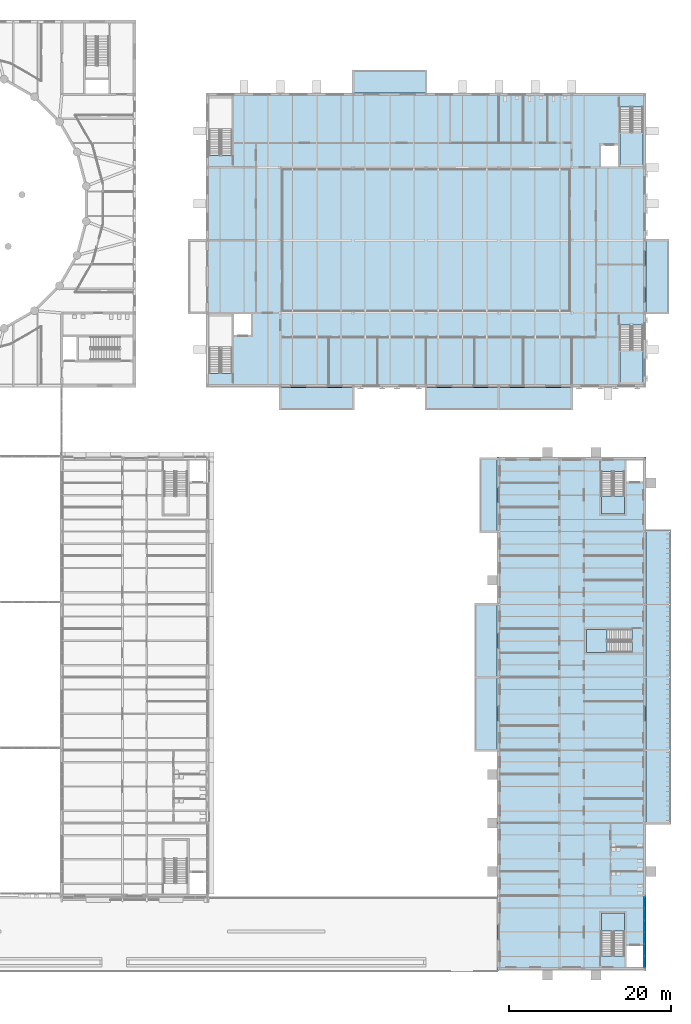
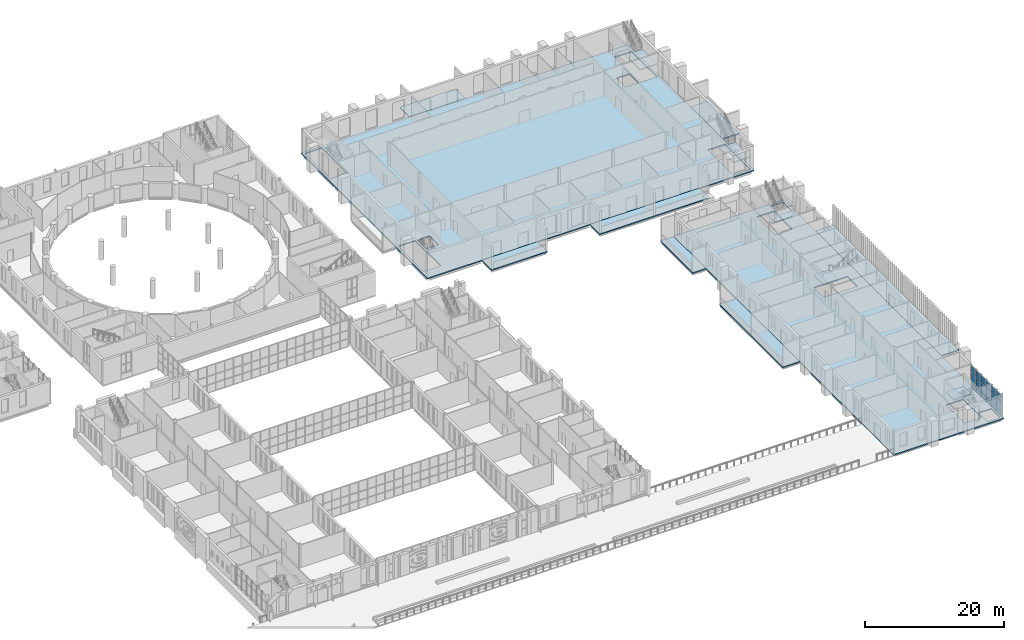
# One storey, part 68 of 134: 18 plates, 14 slabs, 6 elements without a shape of their own.
"""IFC4 building model written with IfcOpenShell, lengths in metres."""

from ifc_helpers import new_model, si_unit, direction, frame, origin, origin_2d, place, context, subcontext, project, spatial, polyline, rectangle, outline, extrude, material, layer, layer_set, type_object, element, aggregate, save


model = new_model("IFC4")

# Units and contexts
model_context = context("Model", 3, precision=1e-05, world=origin(), true_north=direction((0.0, 1.0)))
body_context = subcontext(model_context, "Body", "Model", "MODEL_VIEW")
ifc_project = project(units=[si_unit("LENGTHUNIT", "METRE"), si_unit("AREAUNIT", "SQUARE_METRE"), si_unit("VOLUMEUNIT", "CUBIC_METRE"), si_unit("PLANEANGLEUNIT", "RADIAN"), si_unit("MASSUNIT", "GRAM", prefix="KILO")], contexts=[model_context])

# Site, building, storey
site_placement = place(None, origin())
site = spatial("IfcSite", under=ifc_project, at=site_placement, CompositionType="ELEMENT")
building_placement = place(site_placement, origin())
building = spatial("IfcBuilding", under=site, at=building_placement, Name="Golden Quay Civic Hall", CompositionType="ELEMENT")
storey_placement = place(building_placement, frame((0.0, 0.0, 5.39990234375)))
storey = spatial("IfcBuildingStorey", under=building, at=storey_placement, Name="L01", CompositionType="ELEMENT", Elevation=5.39990234375)

# Slabs
ifc_material_1 = material(Name="Concrete C35/45", Category="concrete")
ifc_layer_1 = layer(ifc_material_1, 0.199951171875)
ifc_layer_set_1 = layer_set([ifc_layer_1], Name="Composite floor 200")
slab_type_1 = type_object("IfcSlabType", Name="Composite floor 200", PredefinedType="FLOOR", material=ifc_layer_set_1)
slab_1_placement = place(storey_placement, frame((0.0, 0.0, -0.199951171875)))
element("IfcSlab", 1, at=slab_1_placement, inside=storey, type_object=slab_type_1, Name="EO floor L01", PredefinedType="FLOOR", context=body_context, shape_type="SweptSolid", body=[
    extrude(outline(polyline([(152.800048828125, 54.199951171875), (171.199951171875, 54.199951171875), (171.199951171875, -9.199951171875), (152.800048828125, -9.199951171875), (152.800048828125, -0.199951171875), (152.800048828125, 54.199951171875)]), holes=[polyline([(168.5, -2.14990234375), (165.64990234375, -2.14990234375), (165.64990234375, -7.445068359375), (168.5, -7.445068359375), (168.5, -2.14990234375)]), polyline([(170.800048828125, -8.800048828125), (170.800048828125, -6.199951171875), (168.75, -6.199951171875), (168.75, -8.800048828125), (170.800048828125, -8.800048828125)]), polyline([(165.64990234375, 47.14990234375), (168.5, 47.14990234375), (168.5, 52.445068359375), (165.64990234375, 52.445068359375), (165.64990234375, 47.14990234375)]), polyline([(168.75, 53.800048828125), (168.75, 51.199951171875), (170.800048828125, 51.199951171875), (170.800048828125, 53.800048828125), (168.75, 53.800048828125)]), polyline([(169.445068359375, 32.925048828125), (163.824951171875, 32.925048828125), (163.824951171875, 30.074951171875), (169.445068359375, 30.074951171875), (169.445068359375, 32.925048828125)])]), origin(), (0.0, 0.0, 1.0), 0.199951171875),
])
slab_2_placement = place(storey_placement, frame((0.0, 0.0, -0.199951171875)))
element("IfcSlab", 2, at=slab_2_placement, inside=storey, type_object=slab_type_1, Name="L01 floor slab", PredefinedType="FLOOR", context=body_context, shape_type="SweptSolid", body=[
    extrude(outline(polyline([(116.800048828125, 62.800048828125), (171.199951171875, 62.800048828125), (171.199951171875, 99.199951171875), (116.800048828125, 99.199951171875), (116.800048828125, 62.800048828125)]), holes=[polyline([(120.050048828125, 64.554931640625), (120.050048828125, 71.875), (117.199951171875, 71.875), (117.199951171875, 64.554931640625), (120.050048828125, 64.554931640625)]), polyline([(120.300048828125, 69.27490234375), (122.39990234375, 69.27490234375), (122.39990234375, 71.875), (120.300048828125, 71.875), (120.300048828125, 69.27490234375)]), polyline([(167.949951171875, 97.445068359375), (167.949951171875, 90.125), (170.800048828125, 90.125), (170.800048828125, 97.445068359375), (167.949951171875, 97.445068359375)]), polyline([(167.699951171875, 92.72509765625), (165.60009765625, 92.72509765625), (165.60009765625, 90.125), (167.699951171875, 90.125), (167.699951171875, 92.72509765625)]), polyline([(120.050048828125, 91.47998046875), (120.050048828125, 98.800048828125), (117.199951171875, 98.800048828125), (117.199951171875, 91.47998046875), (120.050048828125, 91.47998046875)]), polyline([(167.949951171875, 70.52001953125), (167.949951171875, 63.199951171875), (170.800048828125, 63.199951171875), (170.800048828125, 70.52001953125), (167.949951171875, 70.52001953125)])]), origin(), (0.0, 0.0, 1.0), 0.199951171875),
])

# Stair, slab
ifc_material_2 = material(Name="Concrete C35/45", Category="concrete")
stair_type_1 = type_object("IfcStairType", Name="Concrete stair 1350 wide 24 risers of 187.5", PredefinedType="HALF_TURN_STAIR", material=ifc_material_2)
stair_1_placement = place(storey_placement, origin())
stair_1 = element("IfcStair", 3, at=stair_1_placement, inside=storey, type_object=stair_type_1, Name="L01 Stair EO-S", PredefinedType="HALF_TURN_STAIR")
ifc_material_3 = material(Name="Concrete C35/45", Category="concrete")
ifc_layer_2 = layer(ifc_material_3, 0.199951171875)
ifc_layer_set_2 = layer_set([ifc_layer_2], Name="Concrete stair landing 200, Concrete C35/45")
slab_type_2 = type_object("IfcSlabType", Name="Concrete stair landing 200", PredefinedType="LANDING", material=ifc_layer_set_2)
slab_3_placement = place(storey_placement, frame((0.0, 0.0, 2.050048828125)))
slab_3 = element("IfcSlab", 4, at=slab_3_placement, type_object=slab_type_2, Name="EO-S landing 1", PredefinedType="LANDING", context=body_context, shape_type="SweptSolid", body=[
    extrude(outline(polyline([(168.5, -4.3701171875), (168.5, -2.14990234375), (165.64990234375, -2.14990234375), (165.64990234375, -4.3701171875), (168.5, -4.3701171875)])), origin(), (0.0, 0.0, 1.0), 0.199951171875),
])
aggregate(stair_1, [slab_3])

stair_2_placement = place(storey_placement, origin())
stair_2 = element("IfcStair", 5, at=stair_2_placement, inside=storey, type_object=stair_type_1, Name="L01 Stair EO-N", PredefinedType="HALF_TURN_STAIR")
slab_4_placement = place(storey_placement, frame((0.0, 0.0, 2.050048828125)))
slab_4 = element("IfcSlab", 6, at=slab_4_placement, type_object=slab_type_2, Name="EO-N landing 1", PredefinedType="LANDING", context=body_context, shape_type="SweptSolid", body=[
    extrude(outline(polyline([(165.64990234375, 49.3701171875), (165.64990234375, 47.14990234375), (168.5, 47.14990234375), (168.5, 49.3701171875), (165.64990234375, 49.3701171875)])), origin(), (0.0, 0.0, 1.0), 0.199951171875),
])
aggregate(stair_2, [slab_4])

stair_3_placement = place(storey_placement, origin())
stair_3 = element("IfcStair", 7, at=stair_3_placement, inside=storey, type_object=stair_type_1, Name="L01 Stair EO-M", PredefinedType="HALF_TURN_STAIR")
slab_5_placement = place(storey_placement, frame((0.0, 0.0, 2.050048828125)))
slab_5 = element("IfcSlab", 8, at=slab_5_placement, type_object=slab_type_2, Name="EO-M landing 1", PredefinedType="LANDING", context=body_context, shape_type="SweptSolid", body=[
    extrude(outline(polyline([(166.3701171875, 32.925048828125), (163.824951171875, 32.925048828125), (163.824951171875, 30.074951171875), (166.3701171875, 30.074951171875), (166.3701171875, 32.925048828125)])), origin(), (0.0, 0.0, 1.0), 0.199951171875),
])
aggregate(stair_3, [slab_5])

ifc_material_4 = material(Name="Concrete C40/50", Category="concrete")
stair_type_2 = type_object("IfcStairType", Name="Concrete half-turn stair 24 risers", PredefinedType="HALF_TURN_STAIR", material=ifc_material_4)
stair_4_placement = place(storey_placement, origin())
stair_4 = element("IfcStair", 9, at=stair_4_placement, inside=storey, type_object=stair_type_2, Name="L01 Protected Exit Stair LB-E", PredefinedType="HALF_TURN_STAIR")
slab_6_placement = place(storey_placement, frame((0.0, 0.0, 2.050048828125)))
slab_6 = element("IfcSlab", 10, at=slab_6_placement, type_object=slab_type_2, Name="LB-STE landing 1", PredefinedType="LANDING", context=body_context, shape_type="SweptSolid", body=[
    extrude(outline(polyline([(167.949951171875, 94.3701171875), (167.949951171875, 90.125), (170.800048828125, 90.125), (170.800048828125, 94.3701171875), (167.949951171875, 94.3701171875)])), origin(), (0.0, 0.0, 1.0), 0.199951171875),
])
aggregate(stair_4, [slab_6])

stair_5_placement = place(storey_placement, origin())
stair_5 = element("IfcStair", 11, at=stair_5_placement, inside=storey, type_object=stair_type_2, Name="L01 Protected Exit Stair LB-S", PredefinedType="HALF_TURN_STAIR")
slab_7_placement = place(storey_placement, frame((0.0, 0.0, 2.050048828125)))
slab_7 = element("IfcSlab", 12, at=slab_7_placement, type_object=slab_type_2, Name="LB-STS landing 1", PredefinedType="LANDING", context=body_context, shape_type="SweptSolid", body=[
    extrude(outline(polyline([(167.949951171875, 67.445068359375), (167.949951171875, 63.199951171875), (170.800048828125, 63.199951171875), (170.800048828125, 67.445068359375), (167.949951171875, 67.445068359375)])), origin(), (0.0, 0.0, 1.0), 0.199951171875),
])
aggregate(stair_5, [slab_7])

# Curtain wall, plates
ifc_material_5 = material(Name="Glass, laminated double glazed", Category="glass")
ifc_layer_3 = layer(ifc_material_5, 0.199951171875)
ifc_layer_set_3 = layer_set([ifc_layer_3], Name="Glazed core strip curtain wall")
curtain_wall_type = type_object("IfcCurtainWallType", Name="Glazed core strip curtain wall", PredefinedType="NOTDEFINED", material=ifc_layer_set_3)
curtain_wall_placement = place(storey_placement, origin())
curtain_wall = element("IfcCurtainWall", 13, at=curtain_wall_placement, inside=storey, type_object=curtain_wall_type, Name="Glazed core strip curtain wall L01 5", PredefinedType="NOTDEFINED")
ifc_material_6 = material(Name="Glass, laminated double glazed", Category="glass")
ifc_layer_4 = layer(ifc_material_6, 0.028076171875)
ifc_layer_set_4 = layer_set([ifc_layer_4], Name="Double glazed curtain wall panel 28")
plate_type = type_object("IfcPlateType", Name="Double glazed curtain wall panel 28", PredefinedType="CURTAIN_PANEL", material=ifc_layer_set_4)
plate_1_placement = place(storey_placement, frame((171.0, -0.86083984375, 0.06005859375), z_axis=(0.0, 0.0, 1.0), x_axis=(0.0, -1.0, 0.0)))
plate_1 = element("IfcPlate", 14, at=plate_1_placement, type_object=plate_type, Name="CW2 panel 1.1", PredefinedType="CURTAIN_PANEL", context=body_context, shape_type="SweptSolid", body=[
    extrude(rectangle(XDim=1.37158203125, YDim=0.028076171875, at=origin_2d()), origin(), (0.0, 0.0, 1.0), 0.81005859375),
])
plate_2_placement = place(storey_placement, frame((171.0, -0.86083984375, 0.93017578125), z_axis=(0.0, 0.0, 1.0), x_axis=(0.0, -1.0, 0.0)))
plate_2 = element("IfcPlate", 15, at=plate_2_placement, type_object=plate_type, Name="CW2 panel 1.2", PredefinedType="CURTAIN_PANEL", context=body_context, shape_type="SweptSolid", body=[
    extrude(rectangle(XDim=1.37158203125, YDim=0.028076171875, at=origin_2d()), origin(), (0.0, 0.0, 1.0), 1.739990234375),
])
plate_3_placement = place(storey_placement, frame((171.0, -0.86083984375, 2.72998046875), z_axis=(0.0, 0.0, 1.0), x_axis=(0.0, -1.0, 0.0)))
plate_3 = element("IfcPlate", 16, at=plate_3_placement, type_object=plate_type, Name="CW2 panel 1.3", PredefinedType="CURTAIN_PANEL", context=body_context, shape_type="SweptSolid", body=[
    extrude(rectangle(XDim=1.37158203125, YDim=0.028076171875, at=origin_2d()), origin(), (0.0, 0.0, 1.0), 1.110107421875),
])
plate_4_placement = place(storey_placement, frame((171.0, -2.3076171875, 0.06005859375), z_axis=(0.0, 0.0, 1.0), x_axis=(0.0, -1.0, 0.0)))
plate_4 = element("IfcPlate", 17, at=plate_4_placement, type_object=plate_type, Name="CW2 panel 2.1", PredefinedType="CURTAIN_PANEL", context=body_context, shape_type="SweptSolid", body=[
    extrude(rectangle(XDim=1.401611328125, YDim=0.028076171875, at=origin_2d()), origin(), (0.0, 0.0, 1.0), 0.81005859375),
])
plate_5_placement = place(storey_placement, frame((171.0, -2.3076171875, 0.93017578125), z_axis=(0.0, 0.0, 1.0), x_axis=(0.0, -1.0, 0.0)))
plate_5 = element("IfcPlate", 18, at=plate_5_placement, type_object=plate_type, Name="CW2 panel 2.2", PredefinedType="CURTAIN_PANEL", context=body_context, shape_type="SweptSolid", body=[
    extrude(rectangle(XDim=1.401611328125, YDim=0.028076171875, at=origin_2d()), origin(), (0.0, 0.0, 1.0), 1.739990234375),
])
plate_6_placement = place(storey_placement, frame((171.0, -2.3076171875, 2.72998046875), z_axis=(0.0, 0.0, 1.0), x_axis=(0.0, -1.0, 0.0)))
plate_6 = element("IfcPlate", 19, at=plate_6_placement, type_object=plate_type, Name="CW2 panel 2.3", PredefinedType="CURTAIN_PANEL", context=body_context, shape_type="SweptSolid", body=[
    extrude(rectangle(XDim=1.401611328125, YDim=0.028076171875, at=origin_2d()), origin(), (0.0, 0.0, 1.0), 1.110107421875),
])
plate_7_placement = place(storey_placement, frame((171.0, -3.769287109375, 0.06005859375), z_axis=(0.0, 0.0, 1.0), x_axis=(0.0, -1.0, 0.0)))
plate_7 = element("IfcPlate", 20, at=plate_7_placement, type_object=plate_type, Name="CW2 panel 3.1", PredefinedType="CURTAIN_PANEL", context=body_context, shape_type="SweptSolid", body=[
    extrude(rectangle(XDim=1.401611328125, YDim=0.028076171875, at=origin_2d()), origin(), (0.0, 0.0, 1.0), 0.81005859375),
])
plate_8_placement = place(storey_placement, frame((171.0, -3.769287109375, 0.93017578125), z_axis=(0.0, 0.0, 1.0), x_axis=(0.0, -1.0, 0.0)))
plate_8 = element("IfcPlate", 21, at=plate_8_placement, type_object=plate_type, Name="CW2 panel 3.2", PredefinedType="CURTAIN_PANEL", context=body_context, shape_type="SweptSolid", body=[
    extrude(rectangle(XDim=1.401611328125, YDim=0.028076171875, at=origin_2d()), origin(), (0.0, 0.0, 1.0), 1.739990234375),
])
plate_9_placement = place(storey_placement, frame((171.0, -3.769287109375, 2.72998046875), z_axis=(0.0, 0.0, 1.0), x_axis=(0.0, -1.0, 0.0)))
plate_9 = element("IfcPlate", 22, at=plate_9_placement, type_object=plate_type, Name="CW2 panel 3.3", PredefinedType="CURTAIN_PANEL", context=body_context, shape_type="SweptSolid", body=[
    extrude(rectangle(XDim=1.401611328125, YDim=0.028076171875, at=origin_2d()), origin(), (0.0, 0.0, 1.0), 1.110107421875),
])
plate_10_placement = place(storey_placement, frame((171.0, -5.230712890625, 0.06005859375), z_axis=(0.0, 0.0, 1.0), x_axis=(0.0, -1.0, 0.0)))
plate_10 = element("IfcPlate", 23, at=plate_10_placement, type_object=plate_type, Name="CW2 panel 4.1", PredefinedType="CURTAIN_PANEL", context=body_context, shape_type="SweptSolid", body=[
    extrude(rectangle(XDim=1.401611328125, YDim=0.028076171875, at=origin_2d()), origin(), (0.0, 0.0, 1.0), 0.81005859375),
])
plate_11_placement = place(storey_placement, frame((171.0, -5.230712890625, 0.93017578125), z_axis=(0.0, 0.0, 1.0), x_axis=(0.0, -1.0, 0.0)))
plate_11 = element("IfcPlate", 24, at=plate_11_placement, type_object=plate_type, Name="CW2 panel 4.2", PredefinedType="CURTAIN_PANEL", context=body_context, shape_type="SweptSolid", body=[
    extrude(rectangle(XDim=1.401611328125, YDim=0.028076171875, at=origin_2d()), origin(), (0.0, 0.0, 1.0), 1.739990234375),
])
plate_12_placement = place(storey_placement, frame((171.0, -5.230712890625, 2.72998046875), z_axis=(0.0, 0.0, 1.0), x_axis=(0.0, -1.0, 0.0)))
plate_12 = element("IfcPlate", 25, at=plate_12_placement, type_object=plate_type, Name="CW2 panel 4.3", PredefinedType="CURTAIN_PANEL", context=body_context, shape_type="SweptSolid", body=[
    extrude(rectangle(XDim=1.401611328125, YDim=0.028076171875, at=origin_2d()), origin(), (0.0, 0.0, 1.0), 1.110107421875),
])
plate_13_placement = place(storey_placement, frame((171.0, -6.6923828125, 0.06005859375), z_axis=(0.0, 0.0, 1.0), x_axis=(0.0, -1.0, 0.0)))
plate_13 = element("IfcPlate", 26, at=plate_13_placement, type_object=plate_type, Name="CW2 panel 5.1", PredefinedType="CURTAIN_PANEL", context=body_context, shape_type="SweptSolid", body=[
    extrude(rectangle(XDim=1.401611328125, YDim=0.028076171875, at=origin_2d()), origin(), (0.0, 0.0, 1.0), 0.81005859375),
])
plate_14_placement = place(storey_placement, frame((171.0, -6.6923828125, 0.93017578125), z_axis=(0.0, 0.0, 1.0), x_axis=(0.0, -1.0, 0.0)))
plate_14 = element("IfcPlate", 27, at=plate_14_placement, type_object=plate_type, Name="CW2 panel 5.2", PredefinedType="CURTAIN_PANEL", context=body_context, shape_type="SweptSolid", body=[
    extrude(rectangle(XDim=1.401611328125, YDim=0.028076171875, at=origin_2d()), origin(), (0.0, 0.0, 1.0), 1.739990234375),
])
plate_15_placement = place(storey_placement, frame((171.0, -6.6923828125, 2.72998046875), z_axis=(0.0, 0.0, 1.0), x_axis=(0.0, -1.0, 0.0)))
plate_15 = element("IfcPlate", 28, at=plate_15_placement, type_object=plate_type, Name="CW2 panel 5.3", PredefinedType="CURTAIN_PANEL", context=body_context, shape_type="SweptSolid", body=[
    extrude(rectangle(XDim=1.401611328125, YDim=0.028076171875, at=origin_2d()), origin(), (0.0, 0.0, 1.0), 1.110107421875),
])
plate_16_placement = place(storey_placement, frame((171.0, -8.13916015625, 0.06005859375), z_axis=(0.0, 0.0, 1.0), x_axis=(0.0, -1.0, 0.0)))
plate_16 = element("IfcPlate", 29, at=plate_16_placement, type_object=plate_type, Name="CW2 panel 6.1", PredefinedType="CURTAIN_PANEL", context=body_context, shape_type="SweptSolid", body=[
    extrude(rectangle(XDim=1.37158203125, YDim=0.028076171875, at=origin_2d()), origin(), (0.0, 0.0, 1.0), 0.81005859375),
])
plate_17_placement = place(storey_placement, frame((171.0, -8.13916015625, 0.93017578125), z_axis=(0.0, 0.0, 1.0), x_axis=(0.0, -1.0, 0.0)))
plate_17 = element("IfcPlate", 30, at=plate_17_placement, type_object=plate_type, Name="CW2 panel 6.2", PredefinedType="CURTAIN_PANEL", context=body_context, shape_type="SweptSolid", body=[
    extrude(rectangle(XDim=1.37158203125, YDim=0.028076171875, at=origin_2d()), origin(), (0.0, 0.0, 1.0), 1.739990234375),
])
plate_18_placement = place(storey_placement, frame((171.0, -8.13916015625, 2.72998046875), z_axis=(0.0, 0.0, 1.0), x_axis=(0.0, -1.0, 0.0)))
plate_18 = element("IfcPlate", 31, at=plate_18_placement, type_object=plate_type, Name="CW2 panel 6.3", PredefinedType="CURTAIN_PANEL", context=body_context, shape_type="SweptSolid", body=[
    extrude(rectangle(XDim=1.37158203125, YDim=0.028076171875, at=origin_2d()), origin(), (0.0, 0.0, 1.0), 1.110107421875),
])
aggregate(curtain_wall, [plate_1, plate_2, plate_3, plate_4, plate_5, plate_6, plate_7, plate_8, plate_9, plate_10, plate_11, plate_12, plate_13, plate_14, plate_15, plate_16, plate_17, plate_18])

# Slabs
ifc_material_7 = material(Name="Concrete C35/45", Category="concrete")
ifc_layer_5 = layer(ifc_material_7, 0.199951171875)
ifc_layer_set_5 = layer_set([ifc_layer_5], Name="Loggia deck 200")
slab_type_3 = type_object("IfcSlabType", Name="Loggia deck 200", PredefinedType="FLOOR", material=ifc_layer_set_5)
slab_8_placement = place(storey_placement, frame((0.0, 0.0, -0.199951171875)))
element("IfcSlab", 32, at=slab_8_placement, inside=storey, type_object=slab_type_3, Name="Loggia deck 200 L01 1", PredefinedType="FLOOR", context=body_context, shape_type="SweptSolid", body=[
    extrude(outline(polyline([(171.199951171875, 8.89990234375), (171.199951171875, 45.10009765625), (174.199951171875, 45.10009765625), (174.199951171875, 8.89990234375), (171.199951171875, 8.89990234375)])), origin(), (0.0, 0.0, 1.0), 0.199951171875),
])
slab_9_placement = place(storey_placement, frame((0.0, 0.0, -0.199951171875)))
element("IfcSlab", 33, at=slab_9_placement, inside=storey, type_object=slab_type_3, Name="Loggia deck 200 L01 4", PredefinedType="FLOOR", context=body_context, shape_type="SweptSolid", body=[
    extrude(outline(polyline([(152.800048828125, 17.85009765625), (152.800048828125, 36.14990234375), (150.0, 36.14990234375), (150.0, 17.85009765625), (152.800048828125, 17.85009765625)])), origin(), (0.0, 0.0, 1.0), 0.199951171875),
])
slab_10_placement = place(storey_placement, frame((0.0, 0.0, -0.199951171875)))
element("IfcSlab", 34, at=slab_10_placement, inside=storey, type_object=slab_type_3, Name="Loggia deck 200 L01 5", PredefinedType="FLOOR", context=body_context, shape_type="SweptSolid", body=[
    extrude(outline(polyline([(152.800048828125, 44.85009765625), (152.800048828125, 54.14990234375), (150.60009765625, 54.14990234375), (150.60009765625, 44.85009765625), (152.800048828125, 44.85009765625)])), origin(), (0.0, 0.0, 1.0), 0.199951171875),
])
slab_11_placement = place(storey_placement, frame((0.0, 0.0, -0.199951171875)))
element("IfcSlab", 35, at=slab_11_placement, inside=storey, type_object=slab_type_3, Name="Loggia deck 200 L01 6", PredefinedType="FLOOR", context=body_context, shape_type="SweptSolid", body=[
    extrude(outline(polyline([(125.85009765625, 62.800048828125), (135.14990234375, 62.800048828125), (135.14990234375, 60.0), (125.85009765625, 60.0), (125.85009765625, 62.800048828125)])), origin(), (0.0, 0.0, 1.0), 0.199951171875),
])
slab_12_placement = place(storey_placement, frame((0.0, 0.0, -0.199951171875)))
element("IfcSlab", 36, at=slab_12_placement, inside=storey, type_object=slab_type_3, Name="Loggia deck 200 L01 7", PredefinedType="FLOOR", context=body_context, shape_type="SweptSolid", body=[
    extrude(outline(polyline([(143.85009765625, 62.800048828125), (162.14990234375, 62.800048828125), (162.14990234375, 60.0), (143.85009765625, 60.0), (143.85009765625, 62.800048828125)])), origin(), (0.0, 0.0, 1.0), 0.199951171875),
])
slab_13_placement = place(storey_placement, frame((0.0, 0.0, -0.199951171875)))
element("IfcSlab", 37, at=slab_13_placement, inside=storey, type_object=slab_type_3, Name="Loggia deck 200 L01 8", PredefinedType="FLOOR", context=body_context, shape_type="SweptSolid", body=[
    extrude(outline(polyline([(171.199951171875, 71.85009765625), (171.199951171875, 81.14990234375), (174.0, 81.14990234375), (174.0, 71.85009765625), (171.199951171875, 71.85009765625)])), origin(), (0.0, 0.0, 1.0), 0.199951171875),
])
slab_14_placement = place(storey_placement, frame((0.0, 0.0, -0.199951171875)))
element("IfcSlab", 38, at=slab_14_placement, inside=storey, type_object=slab_type_3, Name="Loggia deck 200 L01 9", PredefinedType="FLOOR", context=body_context, shape_type="SweptSolid", body=[
    extrude(outline(polyline([(134.85009765625, 99.199951171875), (144.14990234375, 99.199951171875), (144.14990234375, 102.0), (134.85009765625, 102.0), (134.85009765625, 99.199951171875)])), origin(), (0.0, 0.0, 1.0), 0.199951171875),
])

save(model, "model.ifc")
